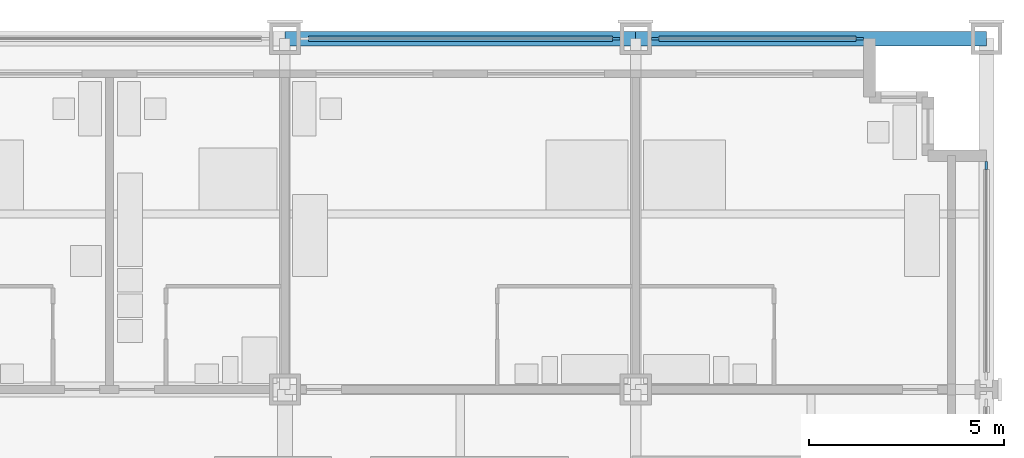
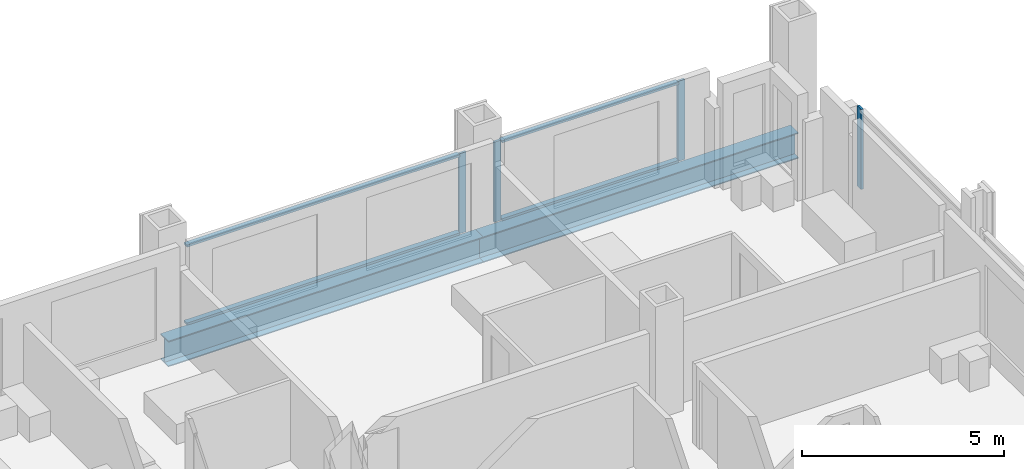
# One storey, part 8 of 18: 8 members, 2 beams, 3 elements without a shape of their own.
"""IFC4 building model written with IfcOpenShell, lengths in metres."""

from ifc_helpers import new_model, si_unit, direction, frame, origin, origin_2d, place, context, subcontext, project, spatial, rectangle, i_section, extrude, material, material_profile, profile_set, type_object, element, aggregate, save


model = new_model("IFC4")

# Units and contexts
model_context = context("Model", 3, precision=1e-05, world=origin(), true_north=direction((0.0, 1.0)))
body_context = subcontext(model_context, "Body", "Model", "MODEL_VIEW")
ifc_project = project(units=[si_unit("LENGTHUNIT", "METRE"), si_unit("AREAUNIT", "SQUARE_METRE"), si_unit("VOLUMEUNIT", "CUBIC_METRE"), si_unit("PLANEANGLEUNIT", "RADIAN"), si_unit("MASSUNIT", "GRAM", prefix="KILO")], contexts=[model_context])

# Site, building, storey
site_placement = place(None, origin())
site = spatial("IfcSite", under=ifc_project, at=site_placement, CompositionType="ELEMENT")
building_placement = place(site_placement, origin())
building = spatial("IfcBuilding", under=site, at=building_placement, Name="Loomwork Tower", CompositionType="ELEMENT")
storey_placement = place(building_placement, frame((0.0, 0.0, 34.800048828125)))
storey = spatial("IfcBuildingStorey", under=building, at=storey_placement, Name="L07", CompositionType="ELEMENT", Elevation=34.800048828125)

# Curtain wall, member
ifc_material_1 = material(Name="Aluminium curtain wall frame", Category="aluminium")
curtain_wall_type = type_object("IfcCurtainWallType", Name="Outer skin glazing hotel", PredefinedType="NOTDEFINED", material=ifc_material_1)
curtain_wall_1_placement = place(storey_placement, origin())
curtain_wall_1 = element("IfcCurtainWall", 1, at=curtain_wall_1_placement, inside=storey, type_object=curtain_wall_type, Name="Outer skin glazing hotel cw/N-36", PredefinedType="NOTDEFINED")
ifc_material_2 = material(Name="Aluminium curtain wall frame", Category="aluminium")
ifc_material_profile_1 = material_profile(ifc_material_2, rectangle(XDim=0.06494140625, YDim=0.199951171875, at=origin_2d()), Name="AL 65x200")
ifc_profile_set_1 = profile_set([ifc_material_profile_1], Name="Aluminium curtain wall frame")
member_type_1 = type_object("IfcMemberType", Name="Outer skin glazing hotel mullion", PredefinedType="MULLION", material=ifc_profile_set_1)
member_1_placement = place(storey_placement, frame((44.5, 36.0, 0.0), z_axis=(0.0, 0.0, 1.0), x_axis=(0.0, -1.0, 0.0)))
member_1 = element("IfcMember", 2, at=member_1_placement, type_object=member_type_1, Name="CW1 mullion 1", PredefinedType="MULLION", context=body_context, shape_type="SweptSolid", body=[
    extrude(rectangle(XDim=0.06494140625, YDim=0.199951171875, at=origin_2d()), origin(), (0.0, 0.0, 1.0), 2.420166015625),
])

# Curtain wall, members
curtain_wall_2_placement = place(storey_placement, origin())
curtain_wall_2 = element("IfcCurtainWall", 3, at=curtain_wall_2_placement, inside=storey, type_object=curtain_wall_type, Name="Outer skin glazing hotel cw/N-45", PredefinedType="NOTDEFINED")
member_2_placement = place(storey_placement, frame((50.75, 36.0, 0.0), z_axis=(0.0, 0.0, 1.0), x_axis=(0.0, -1.0, 0.0)))
member_2 = element("IfcMember", 4, at=member_2_placement, type_object=member_type_1, Name="CW1 mullion 1", PredefinedType="MULLION", context=body_context, shape_type="SweptSolid", body=[
    extrude(rectangle(XDim=0.06494140625, YDim=0.199951171875, at=origin_2d()), origin(), (0.0, 0.0, 1.0), 2.420166015625),
])
member_3_placement = place(storey_placement, frame((45.5, 36.0, 0.0), z_axis=(0.0, 0.0, 1.0), x_axis=(0.0, -1.0, 0.0)))
member_3 = element("IfcMember", 5, at=member_3_placement, type_object=member_type_1, Name="CW1 mullion 2", PredefinedType="MULLION", context=body_context, shape_type="SweptSolid", body=[
    extrude(rectangle(XDim=0.06494140625, YDim=0.199951171875, at=origin_2d()), origin(), (0.0, 0.0, 1.0), 2.420166015625),
])

# Curtain wall, member
curtain_wall_3_placement = place(storey_placement, origin())
curtain_wall_3 = element("IfcCurtainWall", 6, at=curtain_wall_3_placement, inside=storey, type_object=curtain_wall_type, Name="Outer skin glazing hotel cw/E-27", PredefinedType="NOTDEFINED")
member_4_placement = place(storey_placement, frame((54.0, 32.75, 0.0), z_axis=(0.0, 0.0, 1.0), x_axis=(-1.0, 0.0, 0.0)))
member_4 = element("IfcMember", 7, at=member_4_placement, type_object=member_type_1, Name="CW1 mullion 2", PredefinedType="MULLION", context=body_context, shape_type="SweptSolid", body=[
    extrude(rectangle(XDim=0.06494140625, YDim=0.199951171875, at=origin_2d()), origin(), (0.0, 0.0, 1.0), 2.420166015625),
])
aggregate(curtain_wall_3, [member_4])

# Member
ifc_material_3 = material(Name="Aluminium curtain wall frame", Category="aluminium")
ifc_material_profile_2 = material_profile(ifc_material_3, rectangle(XDim=0.14990234375, YDim=0.06494140625, at=origin_2d()), Name="AL 65x150")
ifc_profile_set_2 = profile_set([ifc_material_profile_2], Name="Aluminium curtain wall frame")
member_type_2 = type_object("IfcMemberType", Name="Outer skin glazing hotel transom", PredefinedType="USERDEFINED", material=ifc_profile_set_2)
member_5_placement = place(storey_placement, frame((44.39990234375, 36.0, 0.032470703125), z_axis=(-1.0, 0.0, 0.0), x_axis=(0.0, -1.0, 0.0)))
member_5 = element("IfcMember", 8, at=member_5_placement, type_object=member_type_2, Name="CW1 transom 1.1", ObjectType="TRANSOM", PredefinedType="USERDEFINED", context=body_context, shape_type="SweptSolid", body=[
    extrude(rectangle(XDim=0.14990234375, YDim=0.06494140625, at=origin_2d()), origin(), (0.0, 0.0, 1.0), 7.7998046875),
])

member_6_placement = place(storey_placement, frame((44.39990234375, 36.0, 2.3876953125), z_axis=(-1.0, 0.0, 0.0), x_axis=(0.0, -1.0, 0.0)))
member_6 = element("IfcMember", 9, at=member_6_placement, type_object=member_type_2, Name="CW1 transom 1.2", ObjectType="TRANSOM", PredefinedType="USERDEFINED", context=body_context, shape_type="SweptSolid", body=[
    extrude(rectangle(XDim=0.14990234375, YDim=0.06494140625, at=origin_2d()), origin(), (0.0, 0.0, 1.0), 7.7998046875),
])

aggregate(curtain_wall_1, [member_1, member_5, member_6])

member_7_placement = place(storey_placement, frame((50.64990234375, 36.0, 0.032470703125), z_axis=(-1.0, 0.0, 0.0), x_axis=(0.0, -1.0, 0.0)))
member_7 = element("IfcMember", 10, at=member_7_placement, type_object=member_type_2, Name="CW1 transom 1.1", ObjectType="TRANSOM", PredefinedType="USERDEFINED", context=body_context, shape_type="SweptSolid", body=[
    extrude(rectangle(XDim=0.14990234375, YDim=0.06494140625, at=origin_2d()), origin(), (0.0, 0.0, 1.0), 5.0498046875),
])

member_8_placement = place(storey_placement, frame((50.64990234375, 36.0, 2.3876953125), z_axis=(-1.0, 0.0, 0.0), x_axis=(0.0, -1.0, 0.0)))
member_8 = element("IfcMember", 11, at=member_8_placement, type_object=member_type_2, Name="CW1 transom 1.2", ObjectType="TRANSOM", PredefinedType="USERDEFINED", context=body_context, shape_type="SweptSolid", body=[
    extrude(rectangle(XDim=0.14990234375, YDim=0.06494140625, at=origin_2d()), origin(), (0.0, 0.0, 1.0), 5.0498046875),
])

aggregate(curtain_wall_2, [member_2, member_3, member_7, member_8])

# Beams
ifc_material_4 = material(Name="Steel ASTM A992", Category="steel")
ifc_material_profile_3 = material_profile(ifc_material_4, i_section(OverallWidth=0.381103515625, OverallDepth=0.77978515625, WebThickness=0.01806640625, FlangeThickness=0.0302734375, at=origin_2d()), Name="W30x191")
ifc_profile_set_3 = profile_set([ifc_material_profile_3], Name="Steel ASTM A992")
beam_type = type_object("IfcBeamType", Name="SPANDREL GIRDER W30x191", PredefinedType="SPANDREL", material=ifc_profile_set_3)
for number, where, z_axis, x_axis, name in (
    (12, (36.0, 36.0, -0.58984375), (1.0, 0.0, 0.0), (0.0, 1.0, 0.0), "Spandrel Girder H/6-H/7 L07"),
    (13, (45.0, 36.0, -0.58984375), (1.0, 0.0, 0.0), (0.0, 1.0, 0.0), "Spandrel Girder H/7-H/8 L07"),
):
    element("IfcBeam", number, at=place(storey_placement, frame(where, z_axis=z_axis, x_axis=x_axis)), inside=storey, type_object=beam_type, Name=name, PredefinedType="SPANDREL", context=body_context, shape_type="SweptSolid", body=[
        extrude(i_section(OverallWidth=0.381103515625, OverallDepth=0.77978515625, WebThickness=0.01806640625, FlangeThickness=0.0302734375, at=origin_2d()), origin(), (0.0, 0.0, 1.0), 9.0),
    ])

save(model, "model.ifc")
